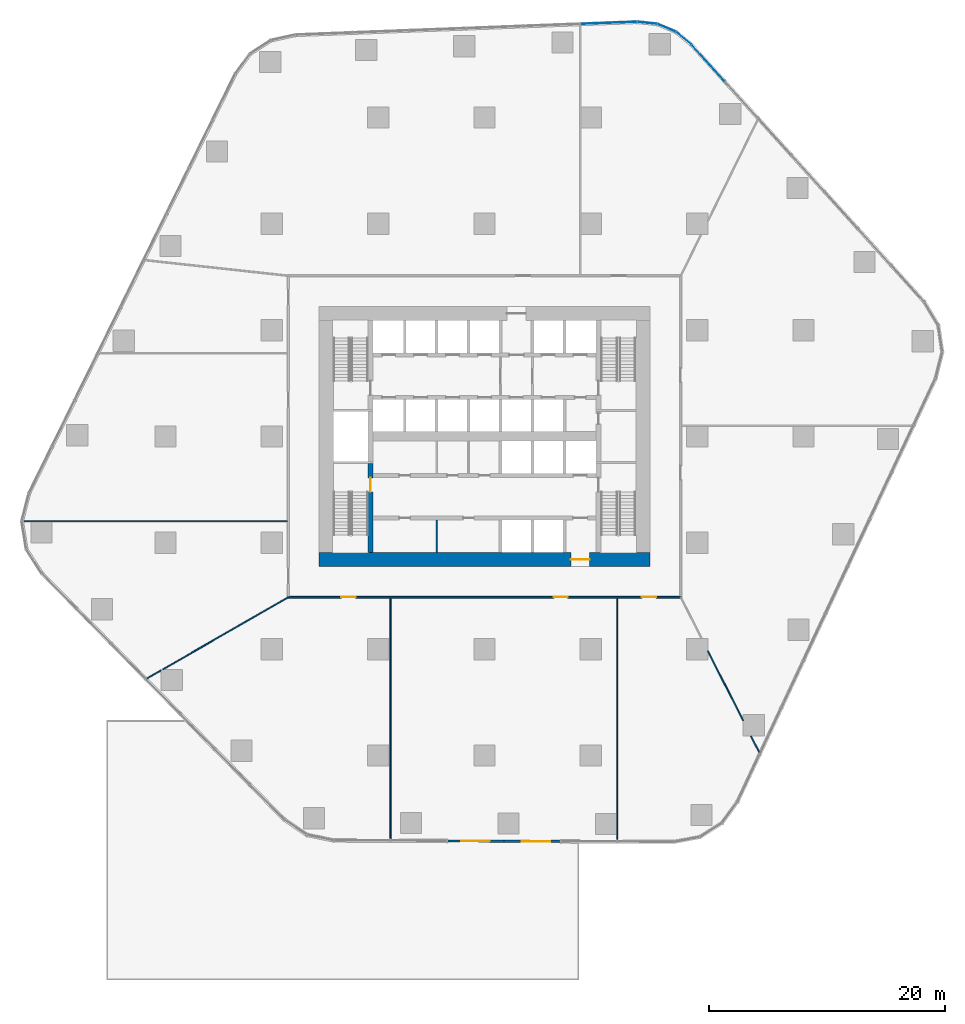
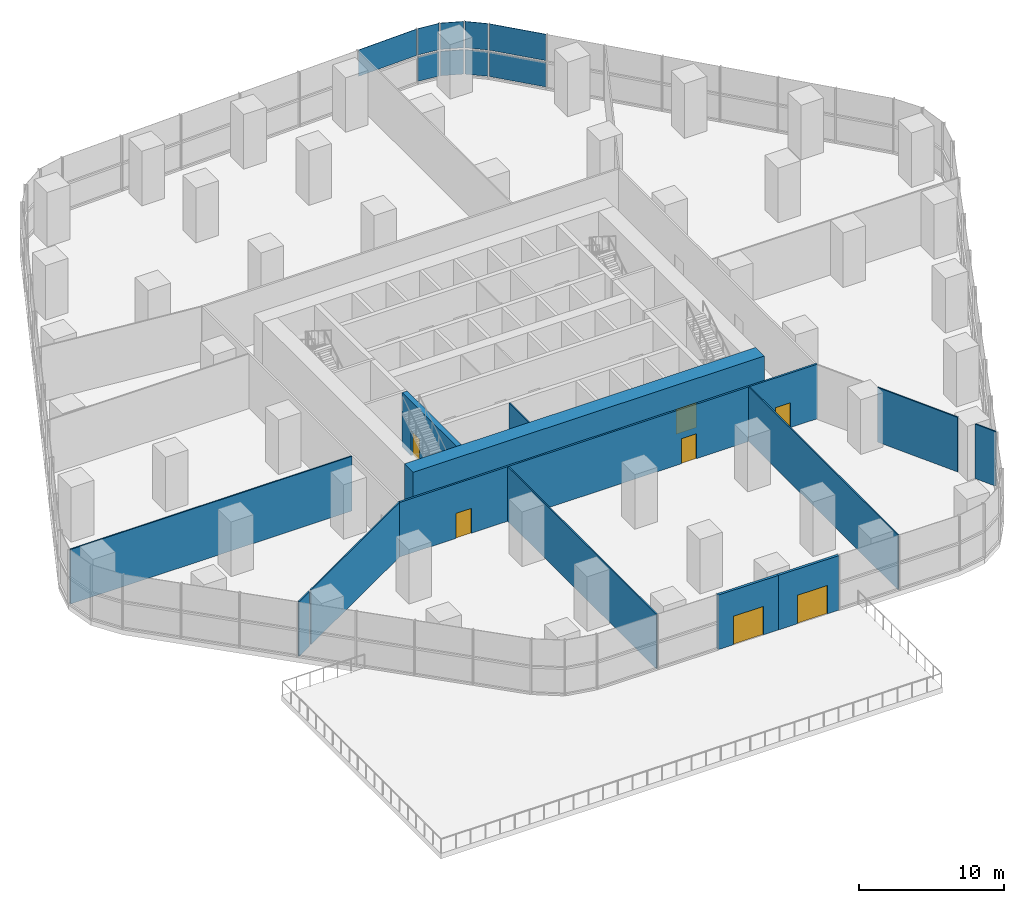
# One storey, part 10 of 15: 13 walls, 9 plates, 7 doors, 7 openings, 3 elements without a shape of their own.
"""IFC4 building model written with IfcOpenShell, lengths in metres."""

import ifcopenshell
import ifcopenshell.guid

model = None  # the IFC model being written
_history = None  # IfcOwnerHistory: only IFC2X3 demands one
_inside = {}  # id of a spatial element -> (the spatial element, [elements in it])
_under = {}  # id of a project, library or spatial element -> (it, [spatial elements below it])
_declared = {}  # id of a project -> (the project, [libraries it declares])
_typed = {}  # id of a type object -> (the type object, [elements of that type])
_made_of = {}  # id of a material, layer set ... -> (it, [elements and type objects made of it])


def new_model(schema):
    """Start an empty IFC model of exactly this schema.

    Asked for "IFC4X3", IfcOpenShell would pick the latest addendum, in which some entities
    have other attributes; the version numbers below select the first issue.
    IFC2X3 requires an IfcOwnerHistory on every rooted entity: one is made here for all.
    """
    global model, _history
    if schema == "IFC4X3":
        model = ifcopenshell.file(schema_version=(4, 3, 0, 0))
    else:
        model = ifcopenshell.file(schema=schema)
    _inside.clear()
    _under.clear()
    _declared.clear()
    _typed.clear()
    _made_of.clear()
    _history = None
    if model.schema == "IFC2X3":
        org = make("IfcOrganization", Name="unknown")
        user = make(
            "IfcPersonAndOrganization",
            ThePerson=make("IfcPerson", FamilyName="unknown"),
            TheOrganization=org,
        )
        app = make(
            "IfcApplication",
            ApplicationDeveloper=org,
            Version="unknown",
            ApplicationFullName="unknown",
            ApplicationIdentifier="unknown",
        )
        _history = make(
            "IfcOwnerHistory",
            OwningUser=user,
            OwningApplication=app,
            ChangeAction="ADDED",
            CreationDate=0,
        )
    return model


def make(cls, **values):
    """One entity of the class cls with the attributes given. An attribute that is None is left unset."""
    return model.create_entity(
        cls, **{name: value for name, value in values.items() if value is not None}
    )


def rooted(cls, **values):
    """An entity with a GlobalId (a new one), such as an element, a storey or a relation."""
    return make(cls, GlobalId=ifcopenshell.guid.new(), OwnerHistory=_history, **values)


def si_unit(unit_type, name, prefix=None):
    """IfcSIUnit, for example si_unit("LENGTHUNIT", "METRE", prefix="MILLI")."""
    return make("IfcSIUnit", UnitType=unit_type, Prefix=prefix, Name=name)


def assignment(units):
    """IfcUnitAssignment: the units of a project."""
    return None if units is None else make("IfcUnitAssignment", Units=units)


def point(xyz):
    """IfcCartesianPoint."""
    return None if xyz is None else make("IfcCartesianPoint", Coordinates=xyz)


def direction(xyz):
    """IfcDirection."""
    return None if xyz is None else make("IfcDirection", DirectionRatios=xyz)


def frame(location, z_axis=None, x_axis=None):
    """IfcAxis2Placement3D, a coordinate frame: its origin and axes. An axis left out is left unset."""
    return make(
        "IfcAxis2Placement3D",
        Location=point(location),
        Axis=direction(z_axis),
        RefDirection=direction(x_axis),
    )


def frame_2d(location, x_axis=None):
    """IfcAxis2Placement2D, a coordinate frame in the plane: its origin and x axis."""
    return make(
        "IfcAxis2Placement2D", Location=point(location), RefDirection=direction(x_axis)
    )


def origin():
    """The frame at (0, 0, 0) with its axes left unset."""
    return frame((0.0, 0.0, 0.0))


def origin_2d():
    """The frame at (0, 0) in the plane with its x axis left unset."""
    return frame_2d((0.0, 0.0))


def place(relative_to, where):
    """IfcLocalPlacement: puts the frame where relative to a parent placement (None: the world)."""
    return make(
        "IfcLocalPlacement", PlacementRelTo=relative_to, RelativePlacement=where
    )


def context(
    kind, dimensions, precision=None, world=None, true_north=None, identifier=None
):
    """IfcGeometricRepresentationContext, for example the 3D "Model" context."""
    return make(
        "IfcGeometricRepresentationContext",
        ContextIdentifier=identifier,
        ContextType=kind,
        CoordinateSpaceDimension=dimensions,
        Precision=precision,
        WorldCoordinateSystem=world,
        TrueNorth=true_north,
    )


def subcontext(parent, identifier, kind, view, scale=None):
    """IfcGeometricRepresentationSubContext, for example "Body" below "Model"."""
    return make(
        "IfcGeometricRepresentationSubContext",
        ContextIdentifier=identifier,
        ContextType=kind,
        ParentContext=parent,
        TargetScale=scale,
        TargetView=view,
    )


def project(units=None, contexts=None):
    """IfcProject with its units and contexts."""
    return rooted(
        "IfcProject",
        Name="project",
        RepresentationContexts=contexts,
        UnitsInContext=assignment(units),
    )


def spatial(cls, under=None, at=None, **own):
    """A site, building, storey or space (cls), placed at a placement, below another one or the project."""
    s = rooted(cls, ObjectPlacement=at, **own)
    if under is not None:
        _under.setdefault(under.id(), (under, []))[1].append(s)
    return s


def profile(cls, at=None, kind="AREA", **sizes):
    """A parametric profile (cls). Its sizes go by their IFC names, for example OverallWidth=200.0."""
    return make(cls, ProfileType=kind, Position=at, **sizes)


def rectangle(**sizes):
    """IfcRectangleProfileDef."""
    return profile("IfcRectangleProfileDef", **sizes)


def extrude(swept, where, along, depth):
    """IfcExtrudedAreaSolid: the profile swept, set in the frame where, extruded along a direction by depth."""
    return make(
        "IfcExtrudedAreaSolid",
        SweptArea=swept,
        Position=where,
        ExtrudedDirection=direction(along),
        Depth=depth,
    )


def shape(context_of_items, identifier, shape_type, items):
    """IfcShapeRepresentation: the items that make up one representation, for example the "Body"."""
    return make(
        "IfcShapeRepresentation",
        ContextOfItems=context_of_items,
        RepresentationIdentifier=identifier,
        RepresentationType=shape_type,
        Items=items,
    )


def material(Name=None, Category=None):
    """IfcMaterial."""
    return make("IfcMaterial", Name=Name, Category=Category)


def layer(
    of_material, thickness, ventilated=None, Name=None, Category=None, Priority=None
):
    """IfcMaterialLayer: one layer of a wall or slab, of a material (None: an air gap)."""
    return make(
        "IfcMaterialLayer",
        Material=of_material,
        LayerThickness=thickness,
        IsVentilated=ventilated,
        Name=Name,
        Category=Category,
        Priority=Priority,
    )


def layer_set(layers, Name=None):
    """IfcMaterialLayerSet."""
    return make("IfcMaterialLayerSet", MaterialLayers=layers, LayerSetName=Name)


def made_of(thing, what):
    """Note that an element or type object is made of a material, layer set ...; save() writes the relation."""
    if what is not None:
        _made_of.setdefault(what.id(), (what, []))[1].append(thing)
    return thing


def type_object(cls, material=None, **own):
    """A type object (cls), such as IfcWallType, which elements share."""
    return made_of(rooted(cls, **own), material)


def element(
    cls,
    number,
    at=None,
    inside=None,
    cuts=None,
    type_object=None,
    material=None,
    context=None,
    identifier="Body",
    shape_type=None,
    held_by="IfcProductDefinitionShape",
    body=None,
    shapes=None,
    **own,
):
    """One element of the class cls, such as IfcWall. Its Tag is "e" and its number.

    at: its placement. inside: the storey or other place that contains it. cuts: it is an
    opening in that element (IfcRelVoidsElement). A single representation is given by context,
    identifier, shape_type and body (its items); several are given by shapes. held_by: the class
    of the entity that holds the representations. save() writes the other relations.
    """
    e = rooted(cls, Tag="e%d" % number, ObjectPlacement=at, **own)
    if body is not None:
        shapes = [shape(context, identifier, shape_type, body)]
    if shapes is not None:
        e.Representation = make(held_by, Representations=shapes)
    if inside is not None:
        _inside.setdefault(inside.id(), (inside, []))[1].append(e)
    if cuts is not None:
        rooted(
            "IfcRelVoidsElement", RelatingBuildingElement=cuts, RelatedOpeningElement=e
        )
    if type_object is not None:
        _typed.setdefault(type_object.id(), (type_object, []))[1].append(e)
    return made_of(e, material)


def fill(opening, filler):
    """IfcRelFillsElement: the door or window that sits in an opening."""
    return rooted(
        "IfcRelFillsElement",
        RelatingOpeningElement=opening,
        RelatedBuildingElement=filler,
    )


def aggregate(whole, parts):
    """IfcRelAggregates: a whole, such as a stair, and the parts it consists of."""
    return rooted("IfcRelAggregates", RelatingObject=whole, RelatedObjects=parts)


def save(model, path):
    """Write the relations noted so far, then the file.

    IfcRelAggregates (storeys below a building ...), IfcRelContainedInSpatialStructure (elements
    in a storey), IfcRelDefinesByType, IfcRelAssociatesMaterial and IfcRelDeclares: one each for
    every whole, place, type object, material and project.
    """
    for whole, parts in _under.values():
        aggregate(whole, parts)
    for where, things in _inside.values():
        rooted(
            "IfcRelContainedInSpatialStructure",
            RelatedElements=things,
            RelatingStructure=where,
        )
    for kind, things in _typed.values():
        rooted("IfcRelDefinesByType", RelatedObjects=things, RelatingType=kind)
    for what, things in _made_of.values():
        rooted("IfcRelAssociatesMaterial", RelatedObjects=things, RelatingMaterial=what)
    for by, libraries in _declared.values():
        rooted("IfcRelDeclares", RelatingContext=by, RelatedDefinitions=libraries)
    model.write(path)


model = new_model("IFC4")

# Units and contexts
model_context = context("Model", 3, precision=1e-05, world=origin(), true_north=direction((0.0, 1.0)))
body_context = subcontext(model_context, "Body", "Model", "MODEL_VIEW")
ifc_project = project(units=[si_unit("LENGTHUNIT", "METRE"), si_unit("AREAUNIT", "SQUARE_METRE"), si_unit("VOLUMEUNIT", "CUBIC_METRE"), si_unit("PLANEANGLEUNIT", "RADIAN"), si_unit("MASSUNIT", "GRAM", prefix="KILO")], contexts=[model_context])

# Site, building, storey
site_placement = place(None, origin())
site = spatial("IfcSite", under=ifc_project, at=site_placement, CompositionType="ELEMENT")
building_placement = place(site_placement, origin())
building = spatial("IfcBuilding", under=site, at=building_placement, Name="Dongbaek Canopy Tower", CompositionType="ELEMENT")
storey_placement = place(building_placement, frame((0.0, 0.0, 33.0)))
storey = spatial("IfcBuildingStorey", under=building, at=storey_placement, Name="L04", CompositionType="ELEMENT", Elevation=33.0)

# Curtain wall, plates
ifc_material_1 = material(Name="Aluminium 6063-T6 pale anodised", Category="aluminium")
ifc_layer_1 = layer(ifc_material_1, 0.300048828125)
ifc_layer_set_1 = layer_set([ifc_layer_1], Name="CW-2 podium hall curtain wall")
curtain_wall_type = type_object("IfcCurtainWallType", Name="CW-2 podium hall curtain wall", PredefinedType="NOTDEFINED", material=ifc_layer_set_1)
curtain_wall_1_placement = place(storey_placement, origin())
curtain_wall_1 = element("IfcCurtainWall", 1, at=curtain_wall_1_placement, inside=storey, type_object=curtain_wall_type, Name="CW-2 curtain wall F0.1", PredefinedType="NOTDEFINED")
ifc_material_2 = material(Name="Clear laminated glass", Category="glass")
ifc_layer_2 = layer(ifc_material_2, 0.035888671875)
ifc_layer_set_2 = layer_set([ifc_layer_2], Name="CW-2 glazed panel 36")
plate_type = type_object("IfcPlateType", Name="CW-2 glazed panel 36", PredefinedType="CURTAIN_PANEL", material=ifc_layer_set_2)
plate_1_placement = place(storey_placement, frame((18.931884765625, 31.599609375, 0.159912109375), z_axis=(0.0, 0.0, 1.0), x_axis=(-0.671259708345, 0.741222236547, 0.0)))
plate_1 = element("IfcPlate", 2, at=plate_1_placement, type_object=plate_type, Name="CW-2 panel F0.1.7.1", PredefinedType="CURTAIN_PANEL", context=body_context, shape_type="SweptSolid", body=[
    extrude(rectangle(XDim=4.083740234375, YDim=0.035888671875, at=origin_2d()), origin(), (0.0, 0.0, 1.0), 2.06005859375),
])
plate_2_placement = place(storey_placement, frame((18.931884765625, 31.599609375, 2.3798828125), z_axis=(0.0, 0.0, 1.0), x_axis=(-0.671259708345, 0.741222236547, 0.0)))
plate_2 = element("IfcPlate", 3, at=plate_2_placement, type_object=plate_type, Name="CW-2 panel F0.1.7.2", PredefinedType="CURTAIN_PANEL", context=body_context, shape_type="SweptSolid", body=[
    extrude(rectangle(XDim=4.083740234375, YDim=0.035888671875, at=origin_2d()), origin(), (0.0, 0.0, 1.0), 2.219970703125),
])
aggregate(curtain_wall_1, [plate_1, plate_2])

curtain_wall_2_placement = place(storey_placement, origin())
curtain_wall_2 = element("IfcCurtainWall", 4, at=curtain_wall_2_placement, inside=storey, type_object=curtain_wall_type, Name="CW-2 curtain wall K0.1", PredefinedType="NOTDEFINED")
plate_3_placement = place(storey_placement, frame((16.86328125, 33.6982421875, 0.159912109375), z_axis=(0.0, 0.0, 1.0), x_axis=(-0.771648517797, 0.636049184405, 0.0)))
plate_3 = element("IfcPlate", 5, at=plate_3_placement, type_object=plate_type, Name="CW-2 panel K0.1.1.1", PredefinedType="CURTAIN_PANEL", context=body_context, shape_type="SweptSolid", body=[
    extrude(rectangle(XDim=1.6142578125, YDim=0.035888671875, at=origin_2d()), origin(), (0.0, 0.0, 1.0), 2.06005859375),
])
plate_4_placement = place(storey_placement, frame((16.86328125, 33.6982421875, 2.3798828125), z_axis=(0.0, 0.0, 1.0), x_axis=(-0.771648517797, 0.636049184405, 0.0)))
plate_4 = element("IfcPlate", 6, at=plate_4_placement, type_object=plate_type, Name="CW-2 panel K0.1.1.2", PredefinedType="CURTAIN_PANEL", context=body_context, shape_type="SweptSolid", body=[
    extrude(rectangle(XDim=1.6142578125, YDim=0.035888671875, at=origin_2d()), origin(), (0.0, 0.0, 1.0), 2.219970703125),
])
plate_5_placement = place(storey_placement, frame((15.412109375, 34.576416015625, 0.159912109375), z_axis=(0.0, 0.0, 1.0), x_axis=(-0.921712269238, 0.387874325956, 0.0)))
plate_5 = element("IfcPlate", 7, at=plate_5_placement, type_object=plate_type, Name="CW-2 panel K0.1.2.1", PredefinedType="CURTAIN_PANEL", context=body_context, shape_type="SweptSolid", body=[
    extrude(rectangle(XDim=1.606689453125, YDim=0.035888671875, at=origin_2d()), origin(), (0.0, 0.0, 1.0), 2.06005859375),
])
plate_6_placement = place(storey_placement, frame((15.412109375, 34.576416015625, 2.3798828125), z_axis=(0.0, 0.0, 1.0), x_axis=(-0.921712269238, 0.387874325956, 0.0)))
plate_6 = element("IfcPlate", 8, at=plate_6_placement, type_object=plate_type, Name="CW-2 panel K0.1.2.2", PredefinedType="CURTAIN_PANEL", context=body_context, shape_type="SweptSolid", body=[
    extrude(rectangle(XDim=1.606689453125, YDim=0.035888671875, at=origin_2d()), origin(), (0.0, 0.0, 1.0), 2.219970703125),
])
plate_7_placement = place(storey_placement, frame((13.76953125, 35.000244140625, 0.159912109375), z_axis=(0.0, 0.0, 1.0), x_axis=(-0.994250991543, 0.107074580622, 0.0)))
plate_7 = element("IfcPlate", 9, at=plate_7_placement, type_object=plate_type, Name="CW-2 panel K0.1.3.1", PredefinedType="CURTAIN_PANEL", context=body_context, shape_type="SweptSolid", body=[
    extrude(rectangle(XDim=1.6142578125, YDim=0.035888671875, at=origin_2d()), origin(), (0.0, 0.0, 1.0), 2.06005859375),
])
plate_8_placement = place(storey_placement, frame((13.76953125, 35.000244140625, 2.3798828125), z_axis=(0.0, 0.0, 1.0), x_axis=(-0.994250991543, 0.107074580622, 0.0)))
plate_8 = element("IfcPlate", 10, at=plate_8_placement, type_object=plate_type, Name="CW-2 panel K0.1.3.2", PredefinedType="CURTAIN_PANEL", context=body_context, shape_type="SweptSolid", body=[
    extrude(rectangle(XDim=1.6142578125, YDim=0.035888671875, at=origin_2d()), origin(), (0.0, 0.0, 1.0), 2.219970703125),
])
aggregate(curtain_wall_2, [plate_3, plate_4, plate_5, plate_6, plate_7, plate_8])

# Curtain wall, plate
curtain_wall_3_placement = place(storey_placement, origin())
curtain_wall_3 = element("IfcCurtainWall", 11, at=curtain_wall_3_placement, inside=storey, type_object=curtain_wall_type, Name="CW-2 curtain wall F1.1", PredefinedType="NOTDEFINED")
plate_9_placement = place(storey_placement, frame((10.507080078125, 35.0, 2.3798828125), z_axis=(0.0, 0.0, 1.0), x_axis=(-0.999268890746, -0.038231975991, 0.0)))
plate_9 = element("IfcPlate", 12, at=plate_9_placement, type_object=plate_type, Name="CW-2 panel F1.1.1.2", PredefinedType="CURTAIN_PANEL", context=body_context, shape_type="SweptSolid", body=[
    extrude(rectangle(XDim=4.716064453125, YDim=0.035888671875, at=origin_2d()), origin(), (0.0, 0.0, 1.0), 2.219970703125),
])
aggregate(curtain_wall_3, [plate_9])

# Wall, opening, door
ifc_material_3 = material(Name="Concrete C60/75", Category="concrete")
ifc_layer_3 = layer(ifc_material_3, 1.199951171875)
ifc_layer_set_3 = layer_set([ifc_layer_3], Name="Core outer wall 1200 Concrete C60/75")
wall_type_1 = type_object("IfcWallType", Name="Core outer wall 1200 Concrete C60/75", PredefinedType="SHEAR", material=ifc_layer_set_3)
wall_1_placement = place(storey_placement, frame((14.0, -10.39990234375, 0.0), z_axis=(0.0, 0.0, 1.0), x_axis=(-1.0, 0.0, 0.0)))
wall_1 = element("IfcWall", 13, at=wall_1_placement, inside=storey, type_object=wall_type_1, Name="Core wall", PredefinedType="SHEAR", context=body_context, shape_type="SweptSolid", body=[
    extrude(rectangle(XDim=28.0, YDim=1.199951171875, at=frame_2d((14.0, 0.0))), origin(), (0.0, 0.0, 1.0), 4.60009765625),
])
opening_1_placement = place(wall_1_placement, frame((5.10009765625, 0.0, 0.0)))
opening_1 = element("IfcOpeningElement", 14, at=opening_1_placement, cuts=wall_1, Name="Opening L04-D028", PredefinedType="OPENING", context=body_context, shape_type="SweptSolid", body=[
    extrude(rectangle(XDim=1.60009765625, YDim=2.10009765625, at=frame_2d((0.800048828125, 1.050048828125))), frame((0.0, 0.60986328125, 0.0), z_axis=(0.0, -1.0, 0.0), x_axis=(1.0, 0.0, 0.0)), (0.0, 0.0, 1.0), 1.219970703125),
])
ifc_material_4 = material(Name="Steel", Category="steel")
door_type_1 = type_object("IfcDoorType", Name="Core exit door 1600 x 2100", OperationType="DOUBLE_DOOR_SINGLE_SWING", PredefinedType="DOOR", material=ifc_material_4)
door_1_placement = place(opening_1_placement, origin())
door_1 = element("IfcDoor", 15, at=door_1_placement, inside=storey, type_object=door_type_1, Name="Core exit door", OperationType="DOUBLE_DOOR_SINGLE_SWING", OverallHeight=2.10009765625, OverallWidth=1.60009765625, PredefinedType="DOOR", context=body_context, shape_type="SweptSolid", body=[
    extrude(rectangle(XDim=1.60009765625, YDim=2.10009765625, at=frame_2d((0.800048828125, 1.050048828125))), frame((0.0, 0.02490234375, 0.0), z_axis=(0.0, -1.0, 0.0), x_axis=(1.0, 0.0, 0.0)), (0.0, 0.0, 1.0), 0.050048828125),
])
fill(opening_1, door_1)

ifc_material_5 = material(Name="Aluminium window wall", Category="aluminium")
ifc_layer_4 = layer(ifc_material_5, 0.199951171875)
ifc_layer_set_4 = layer_set([ifc_layer_4], Name="Entrance wall 200")
wall_type_2 = type_object("IfcWallType", Name="Entrance wall 200", PredefinedType="SOLIDWALL", material=ifc_layer_set_4)
wall_2_placement = place(storey_placement, frame((1.64111328125, -34.251708984375, 0.0), z_axis=(0.0, 0.0, 1.0), x_axis=(-0.999989990591, 0.004474228146, 0.0)))
wall_2 = element("IfcWall", 16, at=wall_2_placement, inside=storey, type_object=wall_type_2, Name="Entrance wall L04 F4 3", PredefinedType="SOLIDWALL", context=body_context, shape_type="SweptSolid", body=[
    extrude(rectangle(XDim=4.8017578125, YDim=0.199951171875, at=frame_2d((2.40087890625, 0.0))), origin(), (0.0, 0.0, 1.0), 4.60009765625),
])
opening_2_placement = place(wall_2_placement, frame((1.200927734375, 0.0, 0.0)))
opening_2 = element("IfcOpeningElement", 17, at=opening_2_placement, cuts=wall_2, Name="Opening L04-T01", PredefinedType="OPENING", context=body_context, shape_type="SweptSolid", body=[
    extrude(rectangle(XDim=2.39990234375, YDim=2.39990234375, at=frame_2d((1.199951171875, 1.199951171875))), frame((0.0, 0.10986328125, 0.0), z_axis=(0.0, -1.0, 0.0), x_axis=(1.0, 0.0, 0.0)), (0.0, 0.0, 1.0), 0.219970703125),
])
ifc_material_6 = material(Name="Clear glazing in aluminium frame", Category="aluminium")
door_type_2 = type_object("IfcDoorType", Name="Entrance door ED1 2400 x 2400", OperationType="DOUBLE_DOOR_SINGLE_SWING", PredefinedType="DOOR", material=ifc_material_6)
door_2_placement = place(opening_2_placement, origin())
door_2 = element("IfcDoor", 18, at=door_2_placement, inside=storey, type_object=door_type_2, Name="Exterior door L04-T01", OperationType="SINGLE_SWING_LEFT", OverallHeight=2.39990234375, OverallWidth=2.39990234375, PredefinedType="DOOR", context=body_context, shape_type="SweptSolid", body=[
    extrude(rectangle(XDim=2.39990234375, YDim=2.39990234375, at=frame_2d((1.199951171875, 1.199951171875))), frame((0.0, 0.02490234375, 0.0), z_axis=(0.0, -1.0, 0.0), x_axis=(1.0, 0.0, 0.0)), (0.0, 0.0, 1.0), 0.050048828125),
])
fill(opening_2, door_2)

wall_3_placement = place(storey_placement, frame((6.44287109375, -34.273193359375, 0.0), z_axis=(0.0, 0.0, 1.0), x_axis=(-0.999989990591, 0.004474228146, 0.0)))
wall_3 = element("IfcWall", 19, at=wall_3_placement, inside=storey, type_object=wall_type_2, Name="Entrance wall L04 F4 4", PredefinedType="SOLIDWALL", context=body_context, shape_type="SweptSolid", body=[
    extrude(rectangle(XDim=4.8017578125, YDim=0.199951171875, at=frame_2d((2.40087890625, 0.0))), origin(), (0.0, 0.0, 1.0), 4.60009765625),
])
opening_3_placement = place(wall_3_placement, frame((0.90087890625, 0.0, 0.0)))
opening_3 = element("IfcOpeningElement", 20, at=opening_3_placement, cuts=wall_3, Name="Opening L04-T02", PredefinedType="OPENING", context=body_context, shape_type="SweptSolid", body=[
    extrude(rectangle(XDim=2.39990234375, YDim=2.39990234375, at=frame_2d((1.199951171875, 1.199951171875))), frame((0.0, 0.10986328125, 0.0), z_axis=(0.0, -1.0, 0.0), x_axis=(1.0, 0.0, 0.0)), (0.0, 0.0, 1.0), 0.219970703125),
])
door_3_placement = place(opening_3_placement, origin())
door_3 = element("IfcDoor", 21, at=door_3_placement, inside=storey, type_object=door_type_2, Name="Exterior door L04-T02", OperationType="SINGLE_SWING_LEFT", OverallHeight=2.39990234375, OverallWidth=2.39990234375, PredefinedType="DOOR", context=body_context, shape_type="SweptSolid", body=[
    extrude(rectangle(XDim=2.39990234375, YDim=2.39990234375, at=frame_2d((1.199951171875, 1.199951171875))), frame((0.0, 0.02490234375, 0.0), z_axis=(0.0, -1.0, 0.0), x_axis=(1.0, 0.0, 0.0)), (0.0, 0.0, 1.0), 0.050048828125),
])
fill(opening_3, door_3)

# Wall, openings, doors
ifc_material_7 = material(Name="Gypsum board partition, steel stud, 2 x 15 mm fire board", Category="steel")
ifc_layer_5 = layer(ifc_material_7, 0.14990234375)
ifc_layer_set_5 = layer_set([ifc_layer_5], Name="Fire-rated partition 150 gypsum board")
wall_type_3 = type_object("IfcWallType", Name="Fire-rated partition 150 gypsum board", PredefinedType="PARTITIONING", material=ifc_layer_set_5)
wall_4_placement = place(storey_placement, frame((16.675048828125, -13.60009765625, 0.0), z_axis=(0.0, 0.0, 1.0), x_axis=(-1.0, 0.0, 0.0)))
wall_4 = element("IfcWall", 22, at=wall_4_placement, inside=storey, type_object=wall_type_3, Name="Corridor partition", PredefinedType="PARTITIONING", context=body_context, shape_type="SweptSolid", body=[
    extrude(rectangle(XDim=33.35009765625, YDim=0.14990234375, at=frame_2d((16.675048828125, 0.0))), origin(), (0.0, 0.0, 1.0), 4.60009765625),
])
opening_4_placement = place(wall_4_placement, frame((27.590087890625, 0.0, 0.0)))
opening_4 = element("IfcOpeningElement", 23, at=opening_4_placement, cuts=wall_4, Name="Opening L04-D003", PredefinedType="OPENING", context=body_context, shape_type="SweptSolid", body=[
    extrude(rectangle(XDim=1.199951171875, YDim=2.10009765625, at=frame_2d((0.60009765625, 1.050048828125))), frame((0.0, 0.0849609375, 0.0), z_axis=(0.0, -1.0, 0.0), x_axis=(1.0, 0.0, 0.0)), (0.0, 0.0, 1.0), 0.169921875),
])
opening_5_placement = place(wall_4_placement, frame((9.6328125, 0.0, 0.0)))
opening_5 = element("IfcOpeningElement", 24, at=opening_5_placement, cuts=wall_4, Name="Opening L04-D004", PredefinedType="OPENING", context=body_context, shape_type="SweptSolid", body=[
    extrude(rectangle(XDim=1.199951171875, YDim=2.10009765625, at=frame_2d((0.60009765625, 1.050048828125))), frame((0.0, 0.0849609375, 0.0), z_axis=(0.0, -1.0, 0.0), x_axis=(1.0, 0.0, 0.0)), (0.0, 0.0, 1.0), 0.169921875),
])
opening_6_placement = place(wall_4_placement, frame((2.153076171875, 0.0, 0.0)))
opening_6 = element("IfcOpeningElement", 25, at=opening_6_placement, cuts=wall_4, Name="Opening L04-D005", PredefinedType="OPENING", context=body_context, shape_type="SweptSolid", body=[
    extrude(rectangle(XDim=1.199951171875, YDim=2.10009765625, at=frame_2d((0.60009765625, 1.050048828125))), frame((0.0, 0.0849609375, 0.0), z_axis=(0.0, -1.0, 0.0), x_axis=(1.0, 0.0, 0.0)), (0.0, 0.0, 1.0), 0.169921875),
])
ifc_material_8 = material(Name="Timber veneered door leaf", Category="wood")
door_type_3 = type_object("IfcDoorType", Name="Room door 1200 x 2100", OperationType="SINGLE_SWING_LEFT", PredefinedType="DOOR", material=ifc_material_8)
door_4_placement = place(opening_4_placement, origin())
door_4 = element("IfcDoor", 26, at=door_4_placement, inside=storey, type_object=door_type_3, Name="Door L04-D003", OperationType="SINGLE_SWING_RIGHT", OverallHeight=2.10009765625, OverallWidth=1.199951171875, PredefinedType="DOOR", context=body_context, shape_type="SweptSolid", body=[
    extrude(rectangle(XDim=1.199951171875, YDim=2.10009765625, at=frame_2d((0.60009765625, 1.050048828125))), frame((0.0, 0.02490234375, 0.0), z_axis=(0.0, -1.0, 0.0), x_axis=(1.0, 0.0, 0.0)), (0.0, 0.0, 1.0), 0.050048828125),
])
fill(opening_4, door_4)
door_5_placement = place(opening_5_placement, origin())
door_5 = element("IfcDoor", 27, at=door_5_placement, inside=storey, type_object=door_type_3, Name="Door L04-D004", OperationType="SINGLE_SWING_LEFT", OverallHeight=2.10009765625, OverallWidth=1.199951171875, PredefinedType="DOOR", context=body_context, shape_type="SweptSolid", body=[
    extrude(rectangle(XDim=1.199951171875, YDim=2.10009765625, at=frame_2d((0.60009765625, 1.050048828125))), frame((0.0, 0.02490234375, 0.0), z_axis=(0.0, -1.0, 0.0), x_axis=(1.0, 0.0, 0.0)), (0.0, 0.0, 1.0), 0.050048828125),
])
fill(opening_5, door_5)
door_6_placement = place(opening_6_placement, origin())
door_6 = element("IfcDoor", 28, at=door_6_placement, inside=storey, type_object=door_type_3, Name="Door L04-D005", OperationType="SINGLE_SWING_RIGHT", OverallHeight=2.10009765625, OverallWidth=1.199951171875, PredefinedType="DOOR", context=body_context, shape_type="SweptSolid", body=[
    extrude(rectangle(XDim=1.199951171875, YDim=2.10009765625, at=frame_2d((0.60009765625, 1.050048828125))), frame((0.0, 0.02490234375, 0.0), z_axis=(0.0, -1.0, 0.0), x_axis=(1.0, 0.0, 0.0)), (0.0, 0.0, 1.0), 0.050048828125),
])
fill(opening_6, door_6)

# Walls
ifc_material_9 = material(Name="Gypsum board partition, steel stud, 2 x 12.5 mm board", Category="steel")
ifc_layer_6 = layer(ifc_material_9, 0.10009765625)
ifc_layer_set_6 = layer_set([ifc_layer_6], Name="Partition 100 gypsum board")
wall_type_4 = type_object("IfcWallType", Name="Partition 100 gypsum board", PredefinedType="PARTITIONING", material=ifc_layer_set_6)
wall_5_placement = place(storey_placement, frame((-39.139892578125, -7.16796875, 0.0), z_axis=(0.0, 0.0, 1.0), x_axis=(1.0, 0.0, 0.0)))
element("IfcWall", 29, at=wall_5_placement, inside=storey, type_object=wall_type_4, Name="Partition", PredefinedType="PARTITIONING", context=body_context, shape_type="SweptSolid", body=[
    extrude(rectangle(XDim=22.46484375, YDim=0.10009765625, at=frame_2d((11.232421875, 0.0))), origin(), (0.0, 0.0, 1.0), 4.60009765625),
])
wall_6_placement = place(storey_placement, frame((-28.63720703125, -20.5244140625, 0.0), z_axis=(0.0, 0.0, 1.0), x_axis=(0.866750138861, 0.49874261577, 0.0)))
element("IfcWall", 30, at=wall_6_placement, inside=storey, type_object=wall_type_4, Name="Partition", PredefinedType="PARTITIONING", context=body_context, shape_type="SweptSolid", body=[
    extrude(rectangle(XDim=1.452880859375, YDim=0.10009765625, at=frame_2d((0.7265625, 0.0))), origin(), (0.0, 0.0, 1.0), 4.60009765625),
])
wall_7_placement = place(storey_placement, frame((-27.21826171875, -19.7080078125, 0.0), z_axis=(0.0, 0.0, 1.0), x_axis=(0.866810688847, 0.498637372948, 0.0)))
element("IfcWall", 31, at=wall_7_placement, inside=storey, type_object=wall_type_4, Name="Partition", PredefinedType="PARTITIONING", context=body_context, shape_type="SweptSolid", body=[
    extrude(rectangle(XDim=12.249755859375, YDim=0.10009765625, at=frame_2d((6.125, 0.0))), origin(), (0.0, 0.0, 1.0), 4.60009765625),
])
wall_8_placement = place(storey_placement, frame((11.243896484375, -34.274658203125, 0.0), z_axis=(0.0, 0.0, 1.0), x_axis=(0.0, 1.0, 0.0)))
element("IfcWall", 32, at=wall_8_placement, inside=storey, type_object=wall_type_4, Name="Partition", PredefinedType="PARTITIONING", context=body_context, shape_type="SweptSolid", body=[
    extrude(rectangle(XDim=20.599609375, YDim=0.10009765625, at=frame_2d((10.2998046875, 0.0))), origin(), (0.0, 0.0, 1.0), 4.60009765625),
])
wall_9_placement = place(storey_placement, frame((-7.962890625, -34.188720703125, 0.0), z_axis=(0.0, 0.0, 1.0), x_axis=(0.0, 1.0, 0.0)))
element("IfcWall", 33, at=wall_9_placement, inside=storey, type_object=wall_type_4, Name="Partition", PredefinedType="PARTITIONING", context=body_context, shape_type="SweptSolid", body=[
    extrude(rectangle(XDim=20.513671875, YDim=0.10009765625, at=frame_2d((10.2568359375, 0.0))), origin(), (0.0, 0.0, 1.0), 4.60009765625),
])
wall_10_placement = place(storey_placement, frame((18.89990234375, -18.14306640625, 0.0), z_axis=(0.0, 0.0, 1.0), x_axis=(0.451674644957, -0.892182725176, 0.0)))
element("IfcWall", 34, at=wall_10_placement, inside=storey, type_object=wall_type_4, Name="Partition", PredefinedType="PARTITIONING", context=body_context, shape_type="SweptSolid", body=[
    extrude(rectangle(XDim=6.624755859375, YDim=0.10009765625, at=frame_2d((3.3125, 0.0))), origin(), (0.0, 0.0, 1.0), 4.60009765625),
])
wall_11_placement = place(storey_placement, frame((22.544921875, -25.343017578125, 0.0), z_axis=(0.0, 0.0, 1.0), x_axis=(0.451627018025, -0.892206835095, 0.0)))
element("IfcWall", 35, at=wall_11_placement, inside=storey, type_object=wall_type_4, Name="Partition", PredefinedType="PARTITIONING", context=body_context, shape_type="SweptSolid", body=[
    extrude(rectangle(XDim=1.6796875, YDim=0.10009765625, at=frame_2d((0.83984375, 0.0))), origin(), (0.0, 0.0, 1.0), 4.60009765625),
])
wall_12_placement = place(storey_placement, frame((-4.050048828125, -9.800048828125, 0.0), z_axis=(0.0, 0.0, 1.0), x_axis=(0.0, 1.0, 0.0)))
element("IfcWall", 36, at=wall_12_placement, inside=storey, type_object=wall_type_4, Name="Core partition", PredefinedType="PARTITIONING", context=body_context, shape_type="SweptSolid", body=[
    extrude(rectangle(XDim=2.72509765625, YDim=0.10009765625, at=frame_2d((1.362548828125, 0.0))), origin(), (0.0, 0.0, 1.0), 4.60009765625),
])

# Wall, opening, door
ifc_material_10 = material(Name="Concrete C60/75", Category="concrete")
ifc_layer_7 = layer(ifc_material_10, 0.39990234375)
ifc_layer_set_7 = layer_set([ifc_layer_7], Name="Stair wall 400 Concrete C60/75")
wall_type_5 = type_object("IfcWallType", Name="Stair wall 400 Concrete C60/75", PredefinedType="SHEAR", material=ifc_layer_set_7)
wall_13_placement = place(storey_placement, frame((-9.64990234375, -9.800048828125, 0.0), z_axis=(0.0, 0.0, 1.0), x_axis=(0.0, 1.0, 0.0)))
wall_13 = element("IfcWall", 37, at=wall_13_placement, inside=storey, type_object=wall_type_5, Name="Stair wall", PredefinedType="SHEAR", context=body_context, shape_type="SweptSolid", body=[
    extrude(rectangle(XDim=7.5, YDim=0.39990234375, at=frame_2d((3.75, 0.0))), origin(), (0.0, 0.0, 1.0), 4.60009765625),
])
opening_7_placement = place(wall_13_placement, frame((5.10009765625, 0.0, 0.0)))
opening_7 = element("IfcOpeningElement", 38, at=opening_7_placement, cuts=wall_13, Name="Opening L04-D038", PredefinedType="OPENING", context=body_context, shape_type="SweptSolid", body=[
    extrude(rectangle(XDim=1.199951171875, YDim=2.10009765625, at=frame_2d((0.60009765625, 1.050048828125))), frame((0.0, 0.2099609375, 0.0), z_axis=(0.0, -1.0, 0.0), x_axis=(1.0, 0.0, 0.0)), (0.0, 0.0, 1.0), 0.419921875),
])
ifc_material_11 = material(Name="Steel", Category="steel")
door_type_4 = type_object("IfcDoorType", Name="Stair door 1200 x 2100", OperationType="SINGLE_SWING_LEFT", PredefinedType="DOOR", material=ifc_material_11)
door_7_placement = place(opening_7_placement, origin())
door_7 = element("IfcDoor", 39, at=door_7_placement, inside=storey, type_object=door_type_4, Name="Stair D door", OperationType="SINGLE_SWING_LEFT", OverallHeight=2.10009765625, OverallWidth=1.199951171875, PredefinedType="DOOR", context=body_context, shape_type="SweptSolid", body=[
    extrude(rectangle(XDim=1.199951171875, YDim=2.10009765625, at=frame_2d((0.60009765625, 1.050048828125))), frame((0.0, 0.02490234375, 0.0), z_axis=(0.0, -1.0, 0.0), x_axis=(1.0, 0.0, 0.0)), (0.0, 0.0, 1.0), 0.050048828125),
])
fill(opening_7, door_7)

save(model, "model.ifc")
